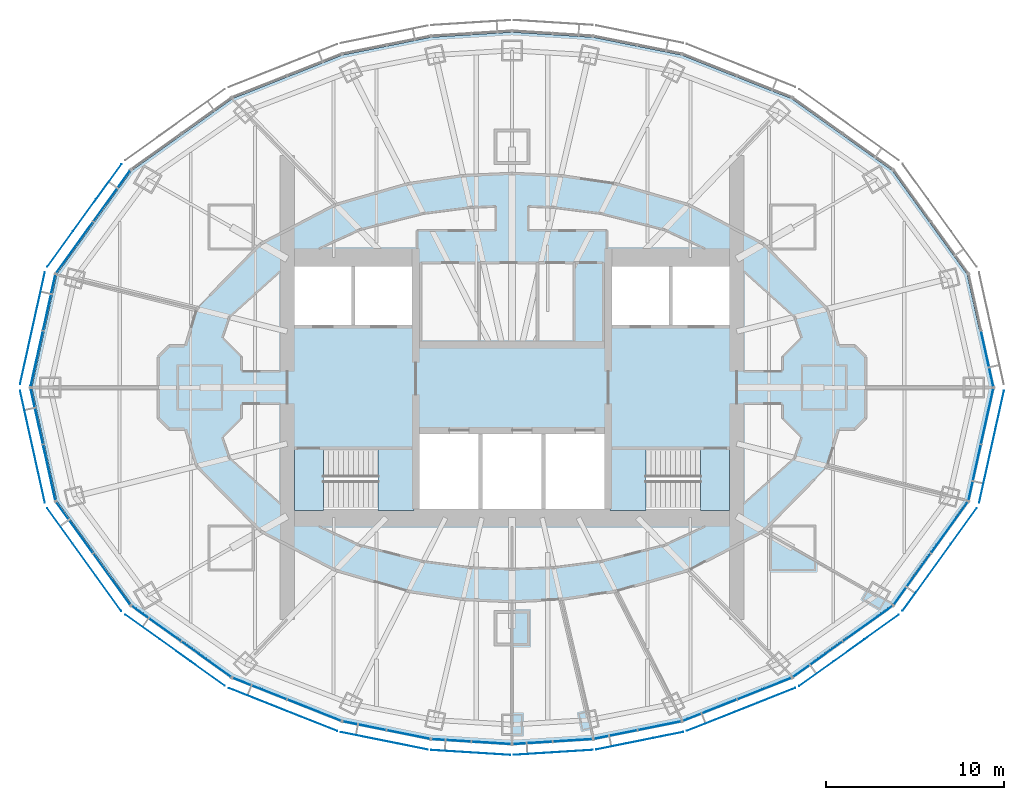
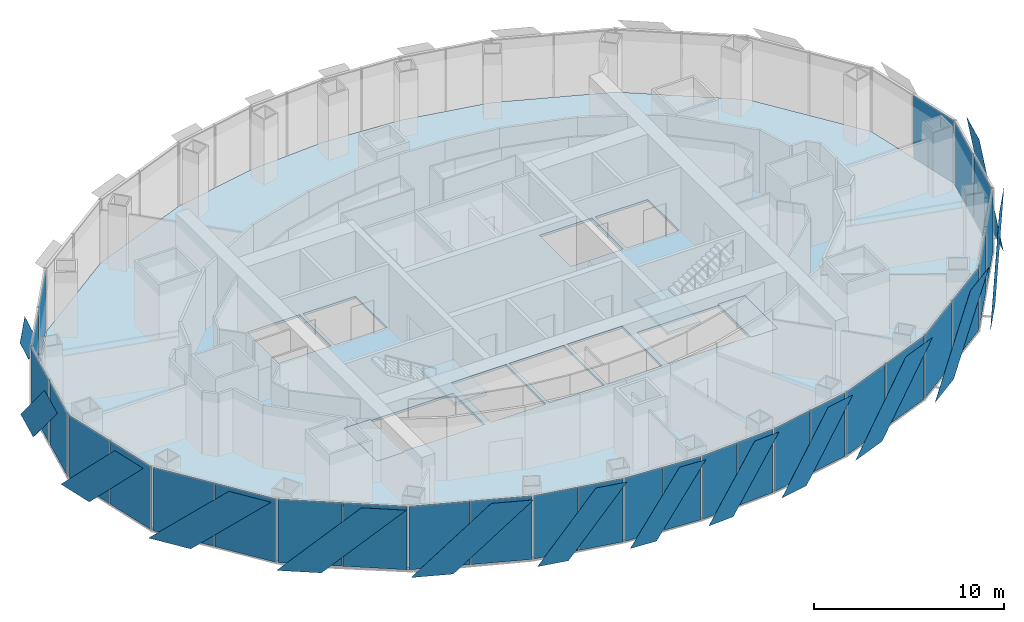
# One storey, part 10 of 17: 43 plates, 5 slabs, 17 elements without a shape of their own.
"""IFC4 building model written with IfcOpenShell, lengths in metres."""

from ifc_helpers import new_model, si_unit, direction, frame, origin, origin_2d, place, context, subcontext, project, spatial, polyline, rectangle, outline, extrude, material, layer, layer_set, type_object, element, aggregate, save


model = new_model("IFC4")

# Units and contexts
model_context = context("Model", 3, precision=1e-05, world=origin(), true_north=direction((0.0, 1.0)))
body_context = subcontext(model_context, "Body", "Model", "MODEL_VIEW")
ifc_project = project(units=[si_unit("LENGTHUNIT", "METRE"), si_unit("AREAUNIT", "SQUARE_METRE"), si_unit("VOLUMEUNIT", "CUBIC_METRE"), si_unit("PLANEANGLEUNIT", "RADIAN"), si_unit("MASSUNIT", "GRAM", prefix="KILO")], contexts=[model_context])

# Site, building, storey
site_placement = place(None, origin())
site = spatial("IfcSite", under=ifc_project, at=site_placement, CompositionType="ELEMENT")
building_placement = place(site_placement, origin())
building = spatial("IfcBuilding", under=site, at=building_placement, Name="Lantaw Convention Tower", CompositionType="ELEMENT")
storey_placement = place(building_placement, frame((0.0, 0.0, 224.199951171875)))
storey = spatial("IfcBuildingStorey", under=building, at=storey_placement, Name="L52", CompositionType="ELEMENT", Elevation=224.199951171875)

# Curtain wall, plate
ifc_material_1 = material(Name="Aluminium framed curtain wall", Category="aluminium")
curtain_wall_type = type_object("IfcCurtainWallType", Name="Office curtain wall high rise, pale aluminium", PredefinedType="USERDEFINED", material=ifc_material_1)
curtain_wall_1_placement = place(storey_placement, origin())
curtain_wall_1 = element("IfcCurtainWall", 1, at=curtain_wall_1_placement, inside=storey, type_object=curtain_wall_type, Name="Office curtain wall high rise, pale aluminium L52", ObjectType="UNITISED CURTAIN WALL", PredefinedType="USERDEFINED")
ifc_material_2 = material(Name="Clear insulating glass", Category="glass")
ifc_layer_1 = layer(ifc_material_2, 0.028076171875)
ifc_layer_set_1 = layer_set([ifc_layer_1], Name="CW-O2 panel 28")
plate_type_1 = type_object("IfcPlateType", Name="CW-O2 panel 28", PredefinedType="CURTAIN_PANEL", material=ifc_layer_set_1)
plate_1_placement = place(storey_placement, frame((26.643798828125, 1.61083984375, -0.0849609375), z_axis=(0.0, 0.0, 1.0), x_axis=(-0.215891333626, 0.976417396437, 0.0)))
plate_1 = element("IfcPlate", 2, at=plate_1_placement, type_object=plate_type_1, Name="CW-O2 panel 1.1", PredefinedType="CURTAIN_PANEL", context=body_context, shape_type="SweptSolid", body=[
    extrude(rectangle(XDim=3.169677734375, YDim=0.028076171875, at=origin_2d()), origin(), (0.0, 0.0, 1.0), 4.070068359375),
])
aggregate(curtain_wall_1, [plate_1])

# Curtain wall, plates
curtain_wall_2_placement = place(storey_placement, origin())
curtain_wall_2 = element("IfcCurtainWall", 3, at=curtain_wall_2_placement, inside=storey, type_object=curtain_wall_type, Name="Office curtain wall high rise, pale aluminium L52", ObjectType="UNITISED CURTAIN WALL", PredefinedType="USERDEFINED")
plate_2_placement = place(storey_placement, frame((-22.4404296875, 10.743896484375, -0.0849609375), z_axis=(0.0, 0.0, 1.0), x_axis=(-0.585157643865, -0.810919559405, 0.0)))
plate_2 = element("IfcPlate", 4, at=plate_2_placement, type_object=plate_type_1, Name="CW-O2 panel 1.1", PredefinedType="CURTAIN_PANEL", context=body_context, shape_type="SweptSolid", body=[
    extrude(rectangle(XDim=3.500732421875, YDim=0.028076171875, at=origin_2d()), origin(), (0.0, 0.0, 1.0), 4.070068359375),
])
plate_3_placement = place(storey_placement, frame((-24.527099609375, 7.852294921875, -0.0849609375), z_axis=(0.0, 0.0, 1.0), x_axis=(-0.585157643865, -0.810919559405, 0.0)))
plate_3 = element("IfcPlate", 5, at=plate_3_placement, type_object=plate_type_1, Name="CW-O2 panel 2.1", PredefinedType="CURTAIN_PANEL", context=body_context, shape_type="SweptSolid", body=[
    extrude(rectangle(XDim=3.500732421875, YDim=0.028076171875, at=origin_2d()), origin(), (0.0, 0.0, 1.0), 4.070068359375),
])
aggregate(curtain_wall_2, [plate_2, plate_3])

curtain_wall_3_placement = place(storey_placement, origin())
curtain_wall_3 = element("IfcCurtainWall", 6, at=curtain_wall_3_placement, inside=storey, type_object=curtain_wall_type, Name="Office curtain wall high rise, pale aluminium L52", ObjectType="UNITISED CURTAIN WALL", PredefinedType="USERDEFINED")
plate_4_placement = place(storey_placement, frame((-25.945556640625, 4.769287109375, -0.0849609375), z_axis=(0.0, 0.0, 1.0), x_axis=(-0.215891333626, -0.976417396437, 0.0)))
plate_4 = element("IfcPlate", 7, at=plate_4_placement, type_object=plate_type_1, Name="CW-O2 panel 1.1", PredefinedType="CURTAIN_PANEL", context=body_context, shape_type="SweptSolid", body=[
    extrude(rectangle(XDim=3.169677734375, YDim=0.028076171875, at=origin_2d()), origin(), (0.0, 0.0, 1.0), 4.070068359375),
])
plate_5_placement = place(storey_placement, frame((-26.643798828125, 1.61083984375, -0.0849609375), z_axis=(0.0, 0.0, 1.0), x_axis=(-0.215891333626, -0.976417396437, 0.0)))
plate_5 = element("IfcPlate", 8, at=plate_5_placement, type_object=plate_type_1, Name="CW-O2 panel 2.1", PredefinedType="CURTAIN_PANEL", context=body_context, shape_type="SweptSolid", body=[
    extrude(rectangle(XDim=3.169677734375, YDim=0.028076171875, at=origin_2d()), origin(), (0.0, 0.0, 1.0), 4.070068359375),
])
aggregate(curtain_wall_3, [plate_4, plate_5])

curtain_wall_4_placement = place(storey_placement, origin())
curtain_wall_4 = element("IfcCurtainWall", 9, at=curtain_wall_4_placement, inside=storey, type_object=curtain_wall_type, Name="Office curtain wall high rise, pale aluminium L52", ObjectType="UNITISED CURTAIN WALL", PredefinedType="USERDEFINED")
plate_6_placement = place(storey_placement, frame((-26.643798828125, -1.61083984375, -0.0849609375), z_axis=(0.0, 0.0, 1.0), x_axis=(0.215891333626, -0.976417396437, 0.0)))
plate_6 = element("IfcPlate", 10, at=plate_6_placement, type_object=plate_type_1, Name="CW-O2 panel 1.1", PredefinedType="CURTAIN_PANEL", context=body_context, shape_type="SweptSolid", body=[
    extrude(rectangle(XDim=3.169677734375, YDim=0.028076171875, at=origin_2d()), origin(), (0.0, 0.0, 1.0), 4.070068359375),
])
plate_7_placement = place(storey_placement, frame((-25.945556640625, -4.769287109375, -0.0849609375), z_axis=(0.0, 0.0, 1.0), x_axis=(0.215891333626, -0.976417396437, 0.0)))
plate_7 = element("IfcPlate", 11, at=plate_7_placement, type_object=plate_type_1, Name="CW-O2 panel 2.1", PredefinedType="CURTAIN_PANEL", context=body_context, shape_type="SweptSolid", body=[
    extrude(rectangle(XDim=3.169677734375, YDim=0.028076171875, at=origin_2d()), origin(), (0.0, 0.0, 1.0), 4.070068359375),
])
aggregate(curtain_wall_4, [plate_6, plate_7])

curtain_wall_5_placement = place(storey_placement, origin())
curtain_wall_5 = element("IfcCurtainWall", 12, at=curtain_wall_5_placement, inside=storey, type_object=curtain_wall_type, Name="Office curtain wall high rise, pale aluminium L52", ObjectType="UNITISED CURTAIN WALL", PredefinedType="USERDEFINED")
plate_8_placement = place(storey_placement, frame((-24.527099609375, -7.852294921875, -0.0849609375), z_axis=(0.0, 0.0, 1.0), x_axis=(0.585157643865, -0.810919559405, 0.0)))
plate_8 = element("IfcPlate", 13, at=plate_8_placement, type_object=plate_type_1, Name="CW-O2 panel 1.1", PredefinedType="CURTAIN_PANEL", context=body_context, shape_type="SweptSolid", body=[
    extrude(rectangle(XDim=3.500732421875, YDim=0.028076171875, at=origin_2d()), origin(), (0.0, 0.0, 1.0), 4.070068359375),
])
plate_9_placement = place(storey_placement, frame((-22.4404296875, -10.743896484375, -0.0849609375), z_axis=(0.0, 0.0, 1.0), x_axis=(0.585157643865, -0.810919559405, 0.0)))
plate_9 = element("IfcPlate", 14, at=plate_9_placement, type_object=plate_type_1, Name="CW-O2 panel 2.1", PredefinedType="CURTAIN_PANEL", context=body_context, shape_type="SweptSolid", body=[
    extrude(rectangle(XDim=3.500732421875, YDim=0.028076171875, at=origin_2d()), origin(), (0.0, 0.0, 1.0), 4.070068359375),
])
aggregate(curtain_wall_5, [plate_8, plate_9])

curtain_wall_6_placement = place(storey_placement, origin())
curtain_wall_6 = element("IfcCurtainWall", 15, at=curtain_wall_6_placement, inside=storey, type_object=curtain_wall_type, Name="Office curtain wall high rise, pale aluminium L52", ObjectType="UNITISED CURTAIN WALL", PredefinedType="USERDEFINED")
plate_10_placement = place(storey_placement, frame((-19.947509765625, -13.23828125, -0.0849609375), z_axis=(0.0, 0.0, 1.0), x_axis=(0.813672540482, -0.581323487281, 0.0)))
plate_10 = element("IfcPlate", 16, at=plate_10_placement, type_object=plate_type_1, Name="CW-O2 panel 1.1", PredefinedType="CURTAIN_PANEL", context=body_context, shape_type="SweptSolid", body=[
    extrude(rectangle(XDim=3.386474609375, YDim=0.028076171875, at=origin_2d()), origin(), (0.0, 0.0, 1.0), 4.070068359375),
])
plate_11_placement = place(storey_placement, frame((-17.13916015625, -15.24462890625, -0.0849609375), z_axis=(0.0, 0.0, 1.0), x_axis=(0.813672540482, -0.581323487281, 0.0)))
plate_11 = element("IfcPlate", 17, at=plate_11_placement, type_object=plate_type_1, Name="CW-O2 panel 2.1", PredefinedType="CURTAIN_PANEL", context=body_context, shape_type="SweptSolid", body=[
    extrude(rectangle(XDim=3.386474609375, YDim=0.028076171875, at=origin_2d()), origin(), (0.0, 0.0, 1.0), 4.070068359375),
])
aggregate(curtain_wall_6, [plate_10, plate_11])

curtain_wall_7_placement = place(storey_placement, origin())
curtain_wall_7 = element("IfcCurtainWall", 18, at=curtain_wall_7_placement, inside=storey, type_object=curtain_wall_type, Name="Office curtain wall high rise, pale aluminium L52", ObjectType="UNITISED CURTAIN WALL", PredefinedType="USERDEFINED")
plate_12_placement = place(storey_placement, frame((-14.14990234375, -16.8837890625, -0.0849609375), z_axis=(0.0, 0.0, 1.0), x_axis=(0.929761533743, -0.368162315252, 0.0)))
plate_12 = element("IfcPlate", 19, at=plate_12_placement, type_object=plate_type_1, Name="CW-O2 panel 1.1", PredefinedType="CURTAIN_PANEL", context=body_context, shape_type="SweptSolid", body=[
    extrude(rectangle(XDim=3.222900390625, YDim=0.028076171875, at=origin_2d()), origin(), (0.0, 0.0, 1.0), 4.070068359375),
])
plate_13_placement = place(storey_placement, frame((-11.0927734375, -18.094482421875, -0.0849609375), z_axis=(0.0, 0.0, 1.0), x_axis=(0.929761533743, -0.368162315252, 0.0)))
plate_13 = element("IfcPlate", 20, at=plate_13_placement, type_object=plate_type_1, Name="CW-O2 panel 2.1", PredefinedType="CURTAIN_PANEL", context=body_context, shape_type="SweptSolid", body=[
    extrude(rectangle(XDim=3.222900390625, YDim=0.028076171875, at=origin_2d()), origin(), (0.0, 0.0, 1.0), 4.070068359375),
])
aggregate(curtain_wall_7, [plate_12, plate_13])

curtain_wall_8_placement = place(storey_placement, origin())
curtain_wall_8 = element("IfcCurtainWall", 21, at=curtain_wall_8_placement, inside=storey, type_object=curtain_wall_type, Name="Office curtain wall high rise, pale aluminium L52", ObjectType="UNITISED CURTAIN WALL", PredefinedType="USERDEFINED")
plate_14_placement = place(storey_placement, frame((-8.2724609375, -18.96533203125, -0.0849609375), z_axis=(0.0, 0.0, 1.0), x_axis=(0.980366679695, -0.197183095987, 0.0)))
plate_14 = element("IfcPlate", 22, at=plate_14_placement, type_object=plate_type_1, Name="CW-O2 panel 1.1", PredefinedType="CURTAIN_PANEL", context=body_context, shape_type="SweptSolid", body=[
    extrude(rectangle(XDim=2.44384765625, YDim=0.028076171875, at=origin_2d()), origin(), (0.0, 0.0, 1.0), 4.070068359375),
])
plate_15_placement = place(storey_placement, frame((-5.81298828125, -19.4599609375, -0.0849609375), z_axis=(0.0, 0.0, 1.0), x_axis=(0.980366679695, -0.197183095987, 0.0)))
plate_15 = element("IfcPlate", 23, at=plate_15_placement, type_object=plate_type_1, Name="CW-O2 panel 2.1", PredefinedType="CURTAIN_PANEL", context=body_context, shape_type="SweptSolid", body=[
    extrude(rectangle(XDim=2.44384765625, YDim=0.028076171875, at=origin_2d()), origin(), (0.0, 0.0, 1.0), 4.070068359375),
])
aggregate(curtain_wall_8, [plate_14, plate_15])

curtain_wall_9_placement = place(storey_placement, origin())
curtain_wall_9 = element("IfcCurtainWall", 24, at=curtain_wall_9_placement, inside=storey, type_object=curtain_wall_type, Name="Office curtain wall high rise, pale aluminium L52", ObjectType="UNITISED CURTAIN WALL", PredefinedType="USERDEFINED")
plate_16_placement = place(storey_placement, frame((-3.397216796875, -19.786376953125, -0.0849609375), z_axis=(0.0, 0.0, 1.0), x_axis=(0.998028774865, -0.062757983884, 0.0)))
plate_16 = element("IfcPlate", 25, at=plate_16_placement, type_object=plate_type_1, Name="CW-O2 panel 1.1", PredefinedType="CURTAIN_PANEL", context=body_context, shape_type="SweptSolid", body=[
    extrude(rectangle(XDim=2.1826171875, YDim=0.028076171875, at=origin_2d()), origin(), (0.0, 0.0, 1.0), 4.070068359375),
])
plate_17_placement = place(storey_placement, frame((-1.154052734375, -19.927490234375, -0.0849609375), z_axis=(0.0, 0.0, 1.0), x_axis=(0.998028774865, -0.062757983884, 0.0)))
plate_17 = element("IfcPlate", 26, at=plate_17_placement, type_object=plate_type_1, Name="CW-O2 panel 2.1", PredefinedType="CURTAIN_PANEL", context=body_context, shape_type="SweptSolid", body=[
    extrude(rectangle(XDim=2.1826171875, YDim=0.028076171875, at=origin_2d()), origin(), (0.0, 0.0, 1.0), 4.070068359375),
])
aggregate(curtain_wall_9, [plate_16, plate_17])

curtain_wall_10_placement = place(storey_placement, origin())
curtain_wall_10 = element("IfcCurtainWall", 27, at=curtain_wall_10_placement, inside=storey, type_object=curtain_wall_type, Name="Office curtain wall high rise, pale aluminium L52", ObjectType="UNITISED CURTAIN WALL", PredefinedType="USERDEFINED")
plate_18_placement = place(storey_placement, frame((1.154052734375, -19.927490234375, -0.0849609375), z_axis=(0.0, 0.0, 1.0), x_axis=(0.998028774865, 0.062757983884, 0.0)))
plate_18 = element("IfcPlate", 28, at=plate_18_placement, type_object=plate_type_1, Name="CW-O2 panel 1.1", PredefinedType="CURTAIN_PANEL", context=body_context, shape_type="SweptSolid", body=[
    extrude(rectangle(XDim=2.1826171875, YDim=0.028076171875, at=origin_2d()), origin(), (0.0, 0.0, 1.0), 4.070068359375),
])
plate_19_placement = place(storey_placement, frame((3.397216796875, -19.786376953125, -0.0849609375), z_axis=(0.0, 0.0, 1.0), x_axis=(0.998028774865, 0.062757983884, 0.0)))
plate_19 = element("IfcPlate", 29, at=plate_19_placement, type_object=plate_type_1, Name="CW-O2 panel 2.1", PredefinedType="CURTAIN_PANEL", context=body_context, shape_type="SweptSolid", body=[
    extrude(rectangle(XDim=2.1826171875, YDim=0.028076171875, at=origin_2d()), origin(), (0.0, 0.0, 1.0), 4.070068359375),
])
aggregate(curtain_wall_10, [plate_18, plate_19])

curtain_wall_11_placement = place(storey_placement, origin())
curtain_wall_11 = element("IfcCurtainWall", 30, at=curtain_wall_11_placement, inside=storey, type_object=curtain_wall_type, Name="Office curtain wall high rise, pale aluminium L52", ObjectType="UNITISED CURTAIN WALL", PredefinedType="USERDEFINED")
plate_20_placement = place(storey_placement, frame((5.81298828125, -19.4599609375, -0.0849609375), z_axis=(0.0, 0.0, 1.0), x_axis=(0.980366679695, 0.197183095987, 0.0)))
plate_20 = element("IfcPlate", 31, at=plate_20_placement, type_object=plate_type_1, Name="CW-O2 panel 1.1", PredefinedType="CURTAIN_PANEL", context=body_context, shape_type="SweptSolid", body=[
    extrude(rectangle(XDim=2.44384765625, YDim=0.028076171875, at=origin_2d()), origin(), (0.0, 0.0, 1.0), 4.070068359375),
])
plate_21_placement = place(storey_placement, frame((8.2724609375, -18.96533203125, -0.0849609375), z_axis=(0.0, 0.0, 1.0), x_axis=(0.980366679695, 0.197183095987, 0.0)))
plate_21 = element("IfcPlate", 32, at=plate_21_placement, type_object=plate_type_1, Name="CW-O2 panel 2.1", PredefinedType="CURTAIN_PANEL", context=body_context, shape_type="SweptSolid", body=[
    extrude(rectangle(XDim=2.44384765625, YDim=0.028076171875, at=origin_2d()), origin(), (0.0, 0.0, 1.0), 4.070068359375),
])
aggregate(curtain_wall_11, [plate_20, plate_21])

curtain_wall_12_placement = place(storey_placement, origin())
curtain_wall_12 = element("IfcCurtainWall", 33, at=curtain_wall_12_placement, inside=storey, type_object=curtain_wall_type, Name="Office curtain wall high rise, pale aluminium L52", ObjectType="UNITISED CURTAIN WALL", PredefinedType="USERDEFINED")
plate_22_placement = place(storey_placement, frame((11.0927734375, -18.094482421875, -0.0849609375), z_axis=(0.0, 0.0, 1.0), x_axis=(0.929761533743, 0.368162315252, 0.0)))
plate_22 = element("IfcPlate", 34, at=plate_22_placement, type_object=plate_type_1, Name="CW-O2 panel 1.1", PredefinedType="CURTAIN_PANEL", context=body_context, shape_type="SweptSolid", body=[
    extrude(rectangle(XDim=3.222900390625, YDim=0.028076171875, at=origin_2d()), origin(), (0.0, 0.0, 1.0), 4.070068359375),
])
plate_23_placement = place(storey_placement, frame((14.14990234375, -16.8837890625, -0.0849609375), z_axis=(0.0, 0.0, 1.0), x_axis=(0.929761533743, 0.368162315252, 0.0)))
plate_23 = element("IfcPlate", 35, at=plate_23_placement, type_object=plate_type_1, Name="CW-O2 panel 2.1", PredefinedType="CURTAIN_PANEL", context=body_context, shape_type="SweptSolid", body=[
    extrude(rectangle(XDim=3.222900390625, YDim=0.028076171875, at=origin_2d()), origin(), (0.0, 0.0, 1.0), 4.070068359375),
])
aggregate(curtain_wall_12, [plate_22, plate_23])

curtain_wall_13_placement = place(storey_placement, origin())
curtain_wall_13 = element("IfcCurtainWall", 36, at=curtain_wall_13_placement, inside=storey, type_object=curtain_wall_type, Name="Office curtain wall high rise, pale aluminium L52", ObjectType="UNITISED CURTAIN WALL", PredefinedType="USERDEFINED")
plate_24_placement = place(storey_placement, frame((17.13916015625, -15.24462890625, -0.0849609375), z_axis=(0.0, 0.0, 1.0), x_axis=(0.813672540482, 0.581323487281, 0.0)))
plate_24 = element("IfcPlate", 37, at=plate_24_placement, type_object=plate_type_1, Name="CW-O2 panel 1.1", PredefinedType="CURTAIN_PANEL", context=body_context, shape_type="SweptSolid", body=[
    extrude(rectangle(XDim=3.386474609375, YDim=0.028076171875, at=origin_2d()), origin(), (0.0, 0.0, 1.0), 4.070068359375),
])
plate_25_placement = place(storey_placement, frame((19.947509765625, -13.23828125, -0.0849609375), z_axis=(0.0, 0.0, 1.0), x_axis=(0.813672540482, 0.581323487281, 0.0)))
plate_25 = element("IfcPlate", 38, at=plate_25_placement, type_object=plate_type_1, Name="CW-O2 panel 2.1", PredefinedType="CURTAIN_PANEL", context=body_context, shape_type="SweptSolid", body=[
    extrude(rectangle(XDim=3.386474609375, YDim=0.028076171875, at=origin_2d()), origin(), (0.0, 0.0, 1.0), 4.070068359375),
])
aggregate(curtain_wall_13, [plate_24, plate_25])

curtain_wall_14_placement = place(storey_placement, origin())
curtain_wall_14 = element("IfcCurtainWall", 39, at=curtain_wall_14_placement, inside=storey, type_object=curtain_wall_type, Name="Office curtain wall high rise, pale aluminium L52", ObjectType="UNITISED CURTAIN WALL", PredefinedType="USERDEFINED")
plate_26_placement = place(storey_placement, frame((22.4404296875, -10.743896484375, -0.0849609375), z_axis=(0.0, 0.0, 1.0), x_axis=(0.585157643865, 0.810919559405, 0.0)))
plate_26 = element("IfcPlate", 40, at=plate_26_placement, type_object=plate_type_1, Name="CW-O2 panel 1.1", PredefinedType="CURTAIN_PANEL", context=body_context, shape_type="SweptSolid", body=[
    extrude(rectangle(XDim=3.500732421875, YDim=0.028076171875, at=origin_2d()), origin(), (0.0, 0.0, 1.0), 4.070068359375),
])
plate_27_placement = place(storey_placement, frame((24.527099609375, -7.852294921875, -0.0849609375), z_axis=(0.0, 0.0, 1.0), x_axis=(0.585157643865, 0.810919559405, 0.0)))
plate_27 = element("IfcPlate", 41, at=plate_27_placement, type_object=plate_type_1, Name="CW-O2 panel 2.1", PredefinedType="CURTAIN_PANEL", context=body_context, shape_type="SweptSolid", body=[
    extrude(rectangle(XDim=3.500732421875, YDim=0.028076171875, at=origin_2d()), origin(), (0.0, 0.0, 1.0), 4.070068359375),
])
aggregate(curtain_wall_14, [plate_26, plate_27])

curtain_wall_15_placement = place(storey_placement, origin())
curtain_wall_15 = element("IfcCurtainWall", 42, at=curtain_wall_15_placement, inside=storey, type_object=curtain_wall_type, Name="Office curtain wall high rise, pale aluminium L52", ObjectType="UNITISED CURTAIN WALL", PredefinedType="USERDEFINED")
plate_28_placement = place(storey_placement, frame((25.945556640625, -4.769287109375, -0.0849609375), z_axis=(0.0, 0.0, 1.0), x_axis=(0.215891333626, 0.976417396437, 0.0)))
plate_28 = element("IfcPlate", 43, at=plate_28_placement, type_object=plate_type_1, Name="CW-O2 panel 1.1", PredefinedType="CURTAIN_PANEL", context=body_context, shape_type="SweptSolid", body=[
    extrude(rectangle(XDim=3.169677734375, YDim=0.028076171875, at=origin_2d()), origin(), (0.0, 0.0, 1.0), 4.070068359375),
])
plate_29_placement = place(storey_placement, frame((26.643798828125, -1.61083984375, -0.0849609375), z_axis=(0.0, 0.0, 1.0), x_axis=(0.215891333626, 0.976417396437, 0.0)))
plate_29 = element("IfcPlate", 44, at=plate_29_placement, type_object=plate_type_1, Name="CW-O2 panel 2.1", PredefinedType="CURTAIN_PANEL", context=body_context, shape_type="SweptSolid", body=[
    extrude(rectangle(XDim=3.169677734375, YDim=0.028076171875, at=origin_2d()), origin(), (0.0, 0.0, 1.0), 4.070068359375),
])
aggregate(curtain_wall_15, [plate_28, plate_29])

# Slab
ifc_material_3 = material(Name="Concrete C35/45", Category="concrete")
ifc_layer_2 = layer(ifc_material_3, 0.14990234375)
ifc_layer_set_2 = layer_set([ifc_layer_2], Name="Floor slab 150")
slab_type_1 = type_object("IfcSlabType", Name="Floor slab 150", PredefinedType="FLOOR", material=ifc_layer_set_2)
slab_1_placement = place(storey_placement, frame((0.0, 0.0, -0.14990234375)))
element("IfcSlab", 45, at=slab_1_placement, inside=storey, type_object=slab_type_1, Name="L52 floor slab", PredefinedType="FLOOR", context=body_context, shape_type="SweptSolid", body=[
    extrude(outline(polyline([(25.51953125, -6.348876953125), (26.923095703125, 0.0), (25.51953125, 6.348876953125), (21.324462890625, 12.162109375), (15.67236328125, 16.2001953125), (9.5126953125, 18.639404296875), (4.54150390625, 19.63916015625), (0.0, 19.9248046875), (-4.54150390625, 19.63916015625), (-9.5126953125, 18.639404296875), (-15.67236328125, 16.2001953125), (-21.324462890625, 12.162109375), (-25.51953125, 6.348876953125), (-26.923095703125, 0.0), (-25.51953125, -6.348876953125), (-21.324462890625, -12.162109375), (-15.67236328125, -16.2001953125), (-9.5126953125, -18.639404296875), (-4.54150390625, -19.63916015625), (0.0, -19.9248046875), (4.54150390625, -19.63916015625), (9.5126953125, -18.639404296875), (15.67236328125, -16.2001953125), (21.324462890625, -12.162109375), (25.51953125, -6.348876953125)]), holes=[polyline([(-5.60009765625, -3.5), (-12.199951171875, -3.5), (-12.199951171875, -6.800048828125), (-5.60009765625, -6.800048828125), (-5.60009765625, -3.5)]), polyline([(12.199951171875, -3.5), (5.60009765625, -3.5), (5.60009765625, -6.800048828125), (12.199951171875, -6.800048828125), (12.199951171875, -3.5)]), polyline([(-1.86669921875, -2.60009765625), (-5.199951171875, -2.60009765625), (-5.199951171875, -6.800048828125), (-1.86669921875, -6.800048828125), (-1.86669921875, -2.60009765625)]), polyline([(1.666748046875, -2.60009765625), (-1.666748046875, -2.60009765625), (-1.666748046875, -6.800048828125), (1.666748046875, -6.800048828125), (1.666748046875, -2.60009765625)]), polyline([(5.199951171875, -2.60009765625), (1.86669921875, -2.60009765625), (1.86669921875, -6.800048828125), (5.199951171875, -6.800048828125), (5.199951171875, -2.60009765625)]), polyline([(-9.0, 6.800048828125), (-12.199951171875, 6.800048828125), (-12.199951171875, 3.5), (-9.0, 3.5), (-9.0, 6.800048828125)]), polyline([(-5.60009765625, 6.800048828125), (-8.800048828125, 6.800048828125), (-8.800048828125, 3.5), (-5.60009765625, 3.5), (-5.60009765625, 6.800048828125)]), polyline([(8.800048828125, 3.5), (8.800048828125, 6.800048828125), (5.60009765625, 6.800048828125), (5.60009765625, 3.5), (8.800048828125, 3.5)]), polyline([(12.199951171875, 3.5), (12.199951171875, 6.800048828125), (9.0, 6.800048828125), (9.0, 3.5), (12.199951171875, 3.5)])]), origin(), (0.0, 0.0, 1.0), 0.14990234375),
])

# Plates
ifc_material_4 = material(Name="Perforated aluminium sheet, pale silver finish", Category="aluminium")
ifc_layer_3 = layer(ifc_material_4, 0.006103515625)
ifc_layer_set_3 = layer_set([ifc_layer_3], Name="Perforated aluminium solar SCREEN panel")
plate_type_2 = type_object("IfcPlateType", Name="Perforated aluminium solar SCREEN panel", PredefinedType="SHEET", material=ifc_layer_set_3)
plate_30_placement = place(storey_placement, frame((-21.898681640625, 12.530029296875, -0.175048828125), z_axis=(-0.810892289695, 0.585195432394, 2.0458414e-05), x_axis=(-0.585195432516, -0.810892289865, 0.0)))
element("IfcPlate", 46, at=plate_30_placement, inside=storey, type_object=plate_type_2, Name="Solar SCREEN panel", PredefinedType="SHEET", context=body_context, shape_type="SweptSolid", body=[
    extrude(outline(polyline([(0.0, 0.0), (2.446848840683286, -6.776263578034403e-21), (7.09661046667572, 4.340087891533265), (4.649761625992435, 4.340087891533265), (0.0, 0.0)])), origin(), (0.0, 0.0, -1.0), 0.006103515625),
])
plate_31_placement = place(storey_placement, frame((-26.19189453125, 6.462158203125, -0.175048828125), z_axis=(0.976429511424, -0.215836529031, 4.4219438e-05), x_axis=(-0.215836529242, -0.976429512379, 0.0)))
element("IfcPlate", 47, at=plate_31_placement, inside=storey, type_object=plate_type_2, Name="Solar SCREEN panel", PredefinedType="SHEET", context=body_context, shape_type="SweptSolid", body=[
    extrude(outline(polyline([(0.0, 0.0), (2.2215525295212517, 3.3881317890172014e-21), (6.4341686174090675, -4.340087894868215), (4.212616087887817, -4.340087894868215), (0.0, 0.0)])), origin(), (0.0, 0.0, -1.0), 0.006103515625),
])
plate_32_placement = place(storey_placement, frame((-27.580810546875, -0.1796875, -0.175048828125), z_axis=(-0.976429511424, -0.215836529031, 4.4219438e-05), x_axis=(0.215836529242, -0.976429512379, 0.0)))
element("IfcPlate", 48, at=plate_32_placement, inside=storey, type_object=plate_type_2, Name="Solar SCREEN panel", PredefinedType="SHEET", context=body_context, shape_type="SweptSolid", body=[
    extrude(outline(polyline([(0.0, 0.0), (2.2215525295212517, -3.3881317890172014e-21), (6.4341686174090675, 4.340087894868215), (4.212616087887817, 4.340087894868215), (0.0, 0.0)])), origin(), (0.0, 0.0, -1.0), 0.006103515625),
])
plate_33_placement = place(storey_placement, frame((-26.051513671875, -6.775390625, -0.175048828125), z_axis=(0.810892289695, 0.585195432394, 2.0458414e-05), x_axis=(0.585195432516, -0.810892289865, 0.0)))
element("IfcPlate", 49, at=plate_33_placement, inside=storey, type_object=plate_type_2, Name="Solar SCREEN panel", PredefinedType="SHEET", context=body_context, shape_type="SweptSolid", body=[
    extrude(outline(polyline([(0.0, 0.0), (2.446848840683286, 6.776263578034403e-21), (7.09661046667572, -4.340087891533265), (4.649761625992435, -4.340087891533265), (0.0, 0.0)])), origin(), (0.0, 0.0, -1.0), 0.006103515625),
])
plate_34_placement = place(storey_placement, frame((-21.689697265625, -12.73828125, -0.175048828125), z_axis=(-0.581330799771, -0.813667316006, 1.0072414e-05), x_axis=(0.813667316047, -0.5813307998, 3.02e-10)))
element("IfcPlate", 50, at=plate_34_placement, inside=storey, type_object=plate_type_2, Name="Solar SCREEN panel", PredefinedType="SHEET", context=body_context, shape_type="SweptSolid", body=[
    extrude(outline(polyline([(0.0, 0.0), (2.3691416428668504, 0.0), (6.867806096558412, 4.34008788877314), (4.498863102938644, 4.340087890202622), (0.0, 0.0)])), origin(), (0.0, 0.0, -1.0), 0.006103515625),
])
plate_35_placement = place(storey_placement, frame((-15.88525390625, -16.8486328125, -0.175048828125), z_axis=(0.368116612072, 0.929779629081, 3.5533269e-05), x_axis=(0.929779629668, -0.368116612304, -1.786e-09)))
element("IfcPlate", 51, at=plate_35_placement, inside=storey, type_object=plate_type_2, Name="Solar SCREEN panel", PredefinedType="SHEET", context=body_context, shape_type="SweptSolid", body=[
    extrude(outline(polyline([(0.0, 0.0), (2.2578720663572183, -3.3881317890172014e-21), (6.540904465438181, -4.340087905048178), (4.282942526861161, -4.340087896982072), (0.0, 0.0)])), origin(), (0.0, 0.0, -1.0), 0.006103515625),
])
plate_36_placement = place(storey_placement, frame((-9.6044921875, -19.315673828125, -0.175048828125), z_axis=(0.197162069853, 0.980370908428, 1.0904083e-05), x_axis=(0.980370908486, -0.197162069865, -7.55e-10)))
element("IfcPlate", 52, at=plate_36_placement, inside=storey, type_object=plate_type_2, Name="Solar SCREEN panel", PredefinedType="SHEET", context=body_context, shape_type="SweptSolid", body=[
    extrude(outline(polyline([(0.0, 0.0), (1.7279870169553606, 8.470329472543003e-22), (4.982578440602753, -4.340087894645749), (3.2545432883764285, -4.340087892035838), (0.0, 0.0)])), origin(), (0.0, 0.0, -1.0), 0.006103515625),
])
plate_37_placement = place(storey_placement, frame((-4.539306640625, -20.32177734375, -0.175048828125), z_axis=(0.062672387577, 0.998034151922, 5.858668e-05), x_axis=(0.998034153635, -0.062672387685, 0.0)))
element("IfcPlate", 53, at=plate_37_placement, inside=storey, type_object=plate_type_2, Name="Solar SCREEN panel", PredefinedType="SHEET", context=body_context, shape_type="SweptSolid", body=[
    extrude(outline(polyline([(0.0, 0.0), (1.5504111513762302, 8.470329472543003e-22), (4.460200019412434, -4.340087898073457), (2.9097888680362036, -4.340087898073457), (0.0, 0.0)])), origin(), (0.0, 0.0, -1.0), 0.006103515625),
])
plate_38_placement = place(storey_placement, frame((0.087890625, -20.6015625, -0.175048828125), z_axis=(0.062672387577, -0.998034151922, 5.858668e-05), x_axis=(0.998034153635, 0.062672387685, 0.0)))
element("IfcPlate", 54, at=plate_38_placement, inside=storey, type_object=plate_type_2, Name="Solar SCREEN panel", PredefinedType="SHEET", context=body_context, shape_type="SweptSolid", body=[
    extrude(outline(polyline([(0.0, 0.0), (1.5504111513762302, -8.470329472543003e-22), (4.460200019412434, 4.340087898073457), (2.9097888680362036, 4.340087898073457), (0.0, 0.0)])), origin(), (0.0, 0.0, -1.0), 0.006103515625),
])
plate_39_placement = place(storey_placement, frame((4.7197265625, -20.298095703125, -0.175048828125), z_axis=(0.197162069853, -0.980370908428, 1.0904083e-05), x_axis=(0.980370908486, 0.197162069865, 7.55e-10)))
element("IfcPlate", 55, at=plate_39_placement, inside=storey, type_object=plate_type_2, Name="Solar SCREEN panel", PredefinedType="SHEET", context=body_context, shape_type="SweptSolid", body=[
    extrude(outline(polyline([(0.0, 0.0), (1.7280351522263238, 4.235164736271502e-22), (4.982578447157737, 4.34008788712039), (3.2545914302023755, 4.340087889730228), (0.0, 0.0)])), origin(), (0.0, 0.0, -1.0), 0.006103515625),
])
plate_40_placement = place(storey_placement, frame((9.8037109375, -19.256591796875, -0.175048828125), z_axis=(0.368116612072, -0.929779629081, 3.5533269e-05), x_axis=(0.929779629668, 0.368116612304, 1.786e-09)))
element("IfcPlate", 56, at=plate_40_placement, inside=storey, type_object=plate_type_2, Name="Solar SCREEN panel", PredefinedType="SHEET", context=body_context, shape_type="SweptSolid", body=[
    extrude(outline(polyline([(0.0, 0.0), (2.257961938577019, 0.0), (6.540904480942253, 4.34008788168214), (4.283032414585035, 4.340087889747925), (0.0, 0.0)])), origin(), (0.0, 0.0, -1.0), 0.006103515625),
])
plate_41_placement = place(storey_placement, frame((16.1015625, -16.730712890625, -0.175048828125), z_axis=(-0.581330799771, 0.813667316006, 1.0072414e-05), x_axis=(0.813667316047, 0.5813307998, -3.02e-10)))
element("IfcPlate", 57, at=plate_41_placement, inside=storey, type_object=plate_type_2, Name="Solar SCREEN panel", PredefinedType="SHEET", context=body_context, shape_type="SweptSolid", body=[
    extrude(outline(polyline([(0.0, 0.0), (2.3689429936197683, -1.6940658945086007e-21), (6.867806093939489, -4.340087892917353), (4.498664451072639, -4.340087891487751), (0.0, 0.0)])), origin(), (0.0, 0.0, -1.0), 0.006103515625),
])
plate_42_placement = place(storey_placement, frame((21.898681640625, -12.530029296875, -0.175048828125), z_axis=(0.810892289695, -0.585195432394, 2.0458414e-05), x_axis=(0.585195432516, 0.810892289865, 0.0)))
element("IfcPlate", 58, at=plate_42_placement, inside=storey, type_object=plate_type_2, Name="Solar SCREEN panel", PredefinedType="SHEET", context=body_context, shape_type="SweptSolid", body=[
    extrude(outline(polyline([(0.0, 0.0), (2.446848840683286, -6.776263578034403e-21), (7.09661046667572, 4.340087891533265), (4.649761625992435, 4.340087891533265), (0.0, 0.0)])), origin(), (0.0, 0.0, -1.0), 0.006103515625),
])
plate_43_placement = place(storey_placement, frame((26.19189453125, -6.462158203125, -0.175048828125), z_axis=(-0.976429511424, 0.215836529031, 4.4219438e-05), x_axis=(0.215836529242, 0.976429512379, 0.0)))
element("IfcPlate", 59, at=plate_43_placement, inside=storey, type_object=plate_type_2, Name="Solar SCREEN panel", PredefinedType="SHEET", context=body_context, shape_type="SweptSolid", body=[
    extrude(outline(polyline([(0.0, 0.0), (2.2215525295212517, 3.3881317890172014e-21), (6.4341686174090675, -4.340087894868215), (4.212616087887817, -4.340087894868215), (0.0, 0.0)])), origin(), (0.0, 0.0, -1.0), 0.006103515625),
])

# Stair, slabs
stair_type = type_object("IfcStairType", Name="Exit stair 1500 riser 175 in 2 flights", PredefinedType="HALF_TURN_STAIR", material=ifc_material_3)
stair_1_placement = place(storey_placement, origin())
stair_1 = element("IfcStair", 60, at=stair_1_placement, inside=storey, type_object=stair_type, Name="Exit stair S1 L52", PredefinedType="HALF_TURN_STAIR")
ifc_layer_4 = layer(ifc_material_3, 0.199951171875)
ifc_layer_set_4 = layer_set([ifc_layer_4], Name="Stair landing 200")
slab_type_2 = type_object("IfcSlabType", Name="Stair landing 200", PredefinedType="LANDING", material=ifc_layer_set_4)
slab_2_placement = place(storey_placement, frame((0.0, 0.0, -0.199951171875)))
slab_2 = element("IfcSlab", 61, at=slab_2_placement, type_object=slab_type_2, Name="S1 landing 1", PredefinedType="LANDING", context=body_context, shape_type="SweptSolid", body=[
    extrude(outline(polyline([(-12.199951171875, -6.89990234375), (-10.580078125, -6.89990234375), (-10.580078125, -3.39990234375), (-12.199951171875, -3.39990234375), (-12.199951171875, -6.89990234375)])), origin(), (0.0, 0.0, 1.0), 0.199951171875),
])
slab_3_placement = place(storey_placement, frame((0.0, 0.0, 1.900146484375)))
slab_3 = element("IfcSlab", 62, at=slab_3_placement, type_object=slab_type_2, Name="S1 landing 2", PredefinedType="LANDING", context=body_context, shape_type="SweptSolid", body=[
    extrude(outline(polyline([(-7.5, -6.89990234375), (-5.5, -6.89990234375), (-5.5, -3.39990234375), (-7.5, -3.39990234375), (-7.5, -6.89990234375)])), origin(), (0.0, 0.0, 1.0), 0.199951171875),
])
aggregate(stair_1, [slab_2, slab_3])

stair_2_placement = place(storey_placement, origin())
stair_2 = element("IfcStair", 63, at=stair_2_placement, inside=storey, type_object=stair_type, Name="Exit stair S2 L52", PredefinedType="HALF_TURN_STAIR")
slab_4_placement = place(storey_placement, frame((0.0, 0.0, -0.199951171875)))
slab_4 = element("IfcSlab", 64, at=slab_4_placement, type_object=slab_type_2, Name="S2 landing 1", PredefinedType="LANDING", context=body_context, shape_type="SweptSolid", body=[
    extrude(outline(polyline([(10.580078125, -6.89990234375), (12.199951171875, -6.89990234375), (12.199951171875, -3.39990234375), (10.580078125, -3.39990234375), (10.580078125, -6.89990234375)])), origin(), (0.0, 0.0, 1.0), 0.199951171875),
])
slab_5_placement = place(storey_placement, frame((0.0, 0.0, 1.900146484375)))
slab_5 = element("IfcSlab", 65, at=slab_5_placement, type_object=slab_type_2, Name="S2 landing 2", PredefinedType="LANDING", context=body_context, shape_type="SweptSolid", body=[
    extrude(outline(polyline([(5.5, -6.89990234375), (7.5, -6.89990234375), (7.5, -3.39990234375), (5.5, -3.39990234375), (5.5, -6.89990234375)])), origin(), (0.0, 0.0, 1.0), 0.199951171875),
])
aggregate(stair_2, [slab_4, slab_5])

save(model, "model.ifc")
